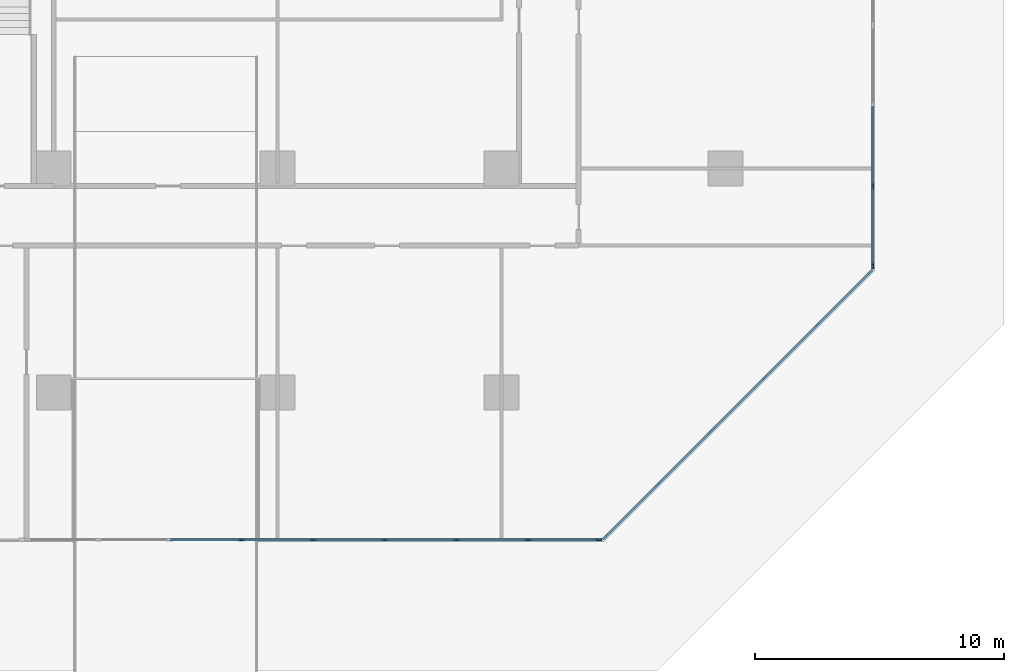
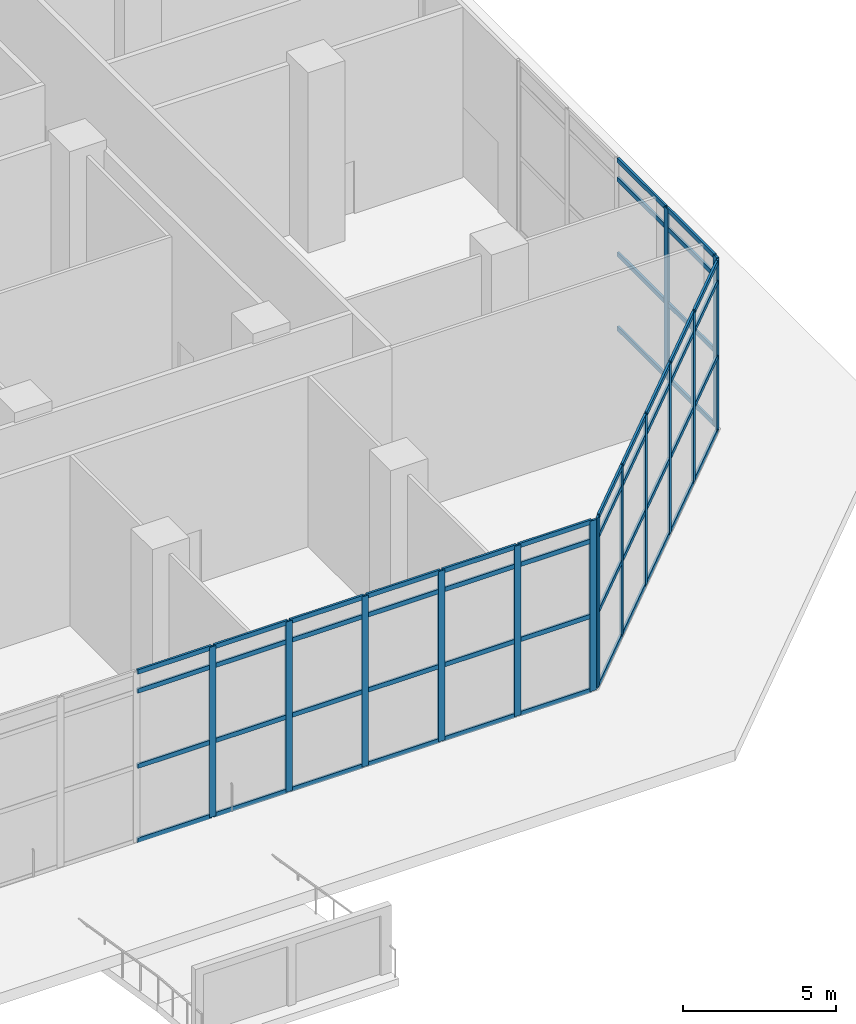
# One storey, part 6 of 34: 66 members, 3 elements without a shape of their own.
"""IFC4 building model written with IfcOpenShell, lengths in metres."""

from ifc_helpers import new_model, si_unit, direction, frame, origin, origin_2d, place, context, subcontext, project, spatial, rectangle, extrude, material, layer, layer_set, material_profile, profile_set, type_object, element, aggregate, save


model = new_model("IFC4")

# Units and contexts
model_context = context("Model", 3, precision=1e-05, world=origin(), true_north=direction((0.0, 1.0)))
body_context = subcontext(model_context, "Body", "Model", "MODEL_VIEW")
ifc_project = project(units=[si_unit("LENGTHUNIT", "METRE"), si_unit("AREAUNIT", "SQUARE_METRE"), si_unit("VOLUMEUNIT", "CUBIC_METRE"), si_unit("PLANEANGLEUNIT", "RADIAN"), si_unit("MASSUNIT", "GRAM", prefix="KILO")], contexts=[model_context])

# Site, building, storey
site_placement = place(None, origin())
site = spatial("IfcSite", under=ifc_project, at=site_placement, CompositionType="ELEMENT")
building_placement = place(site_placement, origin())
building = spatial("IfcBuilding", under=site, at=building_placement, Name="Chenar Terraces", CompositionType="ELEMENT")
storey_placement = place(building_placement, origin())
storey = spatial("IfcBuildingStorey", under=building, at=storey_placement, Name="L00", CompositionType="ELEMENT", Elevation=0.0)

# Curtain wall, members
ifc_material_1 = material(Name="Aluminium framed glazing", Category="aluminium")
ifc_layer = layer(ifc_material_1, 0.14990234375)
ifc_layer_set = layer_set([ifc_layer], Name="Aluminium framed glazing")
curtain_wall_type = type_object("IfcCurtainWallType", Name="Lobby curtain wall", PredefinedType="NOTDEFINED", material=ifc_layer_set)
placement = place(storey_placement, origin())
curtain_wall_1 = element("IfcCurtainWall", 1, at=placement, inside=storey, type_object=curtain_wall_type, Name="Lobby curtain wall", PredefinedType="NOTDEFINED")
ifc_material_2 = material(Name="Aluminium", Category="aluminium")
ifc_material_profile_1 = material_profile(ifc_material_2, rectangle(XDim=0.080078125, YDim=0.25, at=origin_2d()), Name="Lobby glazing mullion 80 x 250")
ifc_profile_set_1 = profile_set([ifc_material_profile_1], Name="Aluminium")
member_type_1 = type_object("IfcMemberType", Name="Lobby glazing mullion 80 x 250", PredefinedType="MULLION", material=ifc_profile_set_1)
member_1_placement = place(storey_placement, frame((61.548583984375, -14.925048828125, 0.0), z_axis=(0.0, 0.0, 1.0), x_axis=(0.0, 1.0, 0.0)))
member_1 = element("IfcMember", 2, at=member_1_placement, type_object=member_type_1, Name="CW6-06p30 mullion 4", PredefinedType="MULLION", context=body_context, shape_type="SweptSolid", body=[
    extrude(rectangle(XDim=0.080078125, YDim=0.25, at=origin_2d()), origin(), (0.0, 0.0, 1.0), 6.800048828125),
])
member_2_placement = place(storey_placement, frame((64.42724609375, -14.925048828125, 0.0), z_axis=(0.0, 0.0, 1.0), x_axis=(0.0, 1.0, 0.0)))
member_2 = element("IfcMember", 3, at=member_2_placement, type_object=member_type_1, Name="CW6-06p30 mullion 5", PredefinedType="MULLION", context=body_context, shape_type="SweptSolid", body=[
    extrude(rectangle(XDim=0.080078125, YDim=0.25, at=origin_2d()), origin(), (0.0, 0.0, 1.0), 6.800048828125),
])
member_3_placement = place(storey_placement, frame((67.305908203125, -14.925048828125, 0.0), z_axis=(0.0, 0.0, 1.0), x_axis=(0.0, 1.0, 0.0)))
member_3 = element("IfcMember", 4, at=member_3_placement, type_object=member_type_1, Name="CW6-06p30 mullion 6", PredefinedType="MULLION", context=body_context, shape_type="SweptSolid", body=[
    extrude(rectangle(XDim=0.080078125, YDim=0.25, at=origin_2d()), origin(), (0.0, 0.0, 1.0), 6.800048828125),
])
member_4_placement = place(storey_placement, frame((70.1845703125, -14.925048828125, 0.0), z_axis=(0.0, 0.0, 1.0), x_axis=(0.0, 1.0, 0.0)))
member_4 = element("IfcMember", 5, at=member_4_placement, type_object=member_type_1, Name="CW6-06p30 mullion 7", PredefinedType="MULLION", context=body_context, shape_type="SweptSolid", body=[
    extrude(rectangle(XDim=0.080078125, YDim=0.25, at=origin_2d()), origin(), (0.0, 0.0, 1.0), 6.800048828125),
])
member_5_placement = place(storey_placement, frame((73.063232421875, -14.925048828125, 0.0), z_axis=(0.0, 0.0, 1.0), x_axis=(0.0, 1.0, 0.0)))
member_5 = element("IfcMember", 6, at=member_5_placement, type_object=member_type_1, Name="CW6-06p30 mullion 8", PredefinedType="MULLION", context=body_context, shape_type="SweptSolid", body=[
    extrude(rectangle(XDim=0.080078125, YDim=0.25, at=origin_2d()), origin(), (0.0, 0.0, 1.0), 6.800048828125),
])
member_6_placement = place(storey_placement, frame((75.90185546875, -14.925048828125, 0.0), z_axis=(0.0, 0.0, 1.0), x_axis=(0.0, 1.0, 0.0)))
member_6 = element("IfcMember", 7, at=member_6_placement, type_object=member_type_1, Name="CW6-06p30 mullion 9", PredefinedType="MULLION", context=body_context, shape_type="SweptSolid", body=[
    extrude(rectangle(XDim=0.080078125, YDim=0.25, at=origin_2d()), origin(), (0.0, 0.0, 1.0), 6.800048828125),
])

curtain_wall_2 = element("IfcCurtainWall", 8, at=placement, inside=storey, type_object=curtain_wall_type, Name="Lobby curtain wall", PredefinedType="NOTDEFINED")
member_7_placement = place(storey_placement, frame((76.173095703125, -14.8125, 0.0), z_axis=(0.0, 0.0, 1.0), x_axis=(-0.707106781187, 0.707106781187, 0.0)))
member_7 = element("IfcMember", 9, at=member_7_placement, type_object=member_type_1, Name="CW6-070 mullion 1", PredefinedType="MULLION", context=body_context, shape_type="SweptSolid", body=[
    extrude(rectangle(XDim=0.080078125, YDim=0.25, at=origin_2d()), origin(), (0.0, 0.0, 1.0), 6.800048828125),
])
member_8_placement = place(storey_placement, frame((78.2841796875, -12.70166015625, 0.0), z_axis=(0.0, 0.0, 1.0), x_axis=(-0.707106781187, 0.707106781187, 0.0)))
member_8 = element("IfcMember", 10, at=member_8_placement, type_object=member_type_1, Name="CW6-070 mullion 2", PredefinedType="MULLION", context=body_context, shape_type="SweptSolid", body=[
    extrude(rectangle(XDim=0.080078125, YDim=0.25, at=origin_2d()), origin(), (0.0, 0.0, 1.0), 6.800048828125),
])
member_9_placement = place(storey_placement, frame((80.42333984375, -10.5625, 0.0), z_axis=(0.0, 0.0, 1.0), x_axis=(-0.707106781187, 0.707106781187, 0.0)))
member_9 = element("IfcMember", 11, at=member_9_placement, type_object=member_type_1, Name="CW6-070 mullion 3", PredefinedType="MULLION", context=body_context, shape_type="SweptSolid", body=[
    extrude(rectangle(XDim=0.080078125, YDim=0.25, at=origin_2d()), origin(), (0.0, 0.0, 1.0), 6.800048828125),
])
member_10_placement = place(storey_placement, frame((82.5625, -8.42333984375, 0.0), z_axis=(0.0, 0.0, 1.0), x_axis=(-0.707106781187, 0.707106781187, 0.0)))
member_10 = element("IfcMember", 12, at=member_10_placement, type_object=member_type_1, Name="CW6-070 mullion 4", PredefinedType="MULLION", context=body_context, shape_type="SweptSolid", body=[
    extrude(rectangle(XDim=0.080078125, YDim=0.25, at=origin_2d()), origin(), (0.0, 0.0, 1.0), 6.800048828125),
])
member_11_placement = place(storey_placement, frame((84.70166015625, -6.2841796875, 0.0), z_axis=(0.0, 0.0, 1.0), x_axis=(-0.707106781187, 0.707106781187, 0.0)))
member_11 = element("IfcMember", 13, at=member_11_placement, type_object=member_type_1, Name="CW6-070 mullion 5", PredefinedType="MULLION", context=body_context, shape_type="SweptSolid", body=[
    extrude(rectangle(XDim=0.080078125, YDim=0.25, at=origin_2d()), origin(), (0.0, 0.0, 1.0), 6.800048828125),
])
member_12_placement = place(storey_placement, frame((86.8125, -4.173095703125, 0.0), z_axis=(0.0, 0.0, 1.0), x_axis=(-0.707106781187, 0.707106781187, 0.0)))
member_12 = element("IfcMember", 14, at=member_12_placement, type_object=member_type_1, Name="CW6-070 mullion 6", PredefinedType="MULLION", context=body_context, shape_type="SweptSolid", body=[
    extrude(rectangle(XDim=0.080078125, YDim=0.25, at=origin_2d()), origin(), (0.0, 0.0, 1.0), 6.800048828125),
])

curtain_wall_3 = element("IfcCurtainWall", 15, at=placement, inside=storey, type_object=curtain_wall_type, Name="Lobby curtain wall", PredefinedType="NOTDEFINED")
member_13_placement = place(storey_placement, frame((86.925048828125, -3.90185546875, 0.0), z_axis=(0.0, 0.0, 1.0), x_axis=(-1.0, 0.0, 0.0)))
member_13 = element("IfcMember", 16, at=member_13_placement, type_object=member_type_1, Name="CW6-08a0 mullion 1", PredefinedType="MULLION", context=body_context, shape_type="SweptSolid", body=[
    extrude(rectangle(XDim=0.080078125, YDim=0.25, at=origin_2d()), origin(), (0.0, 0.0, 1.0), 6.800048828125),
])
member_14_placement = place(storey_placement, frame((86.925048828125, -0.70947265625, 0.0), z_axis=(0.0, 0.0, 1.0), x_axis=(-1.0, 0.0, 0.0)))
member_14 = element("IfcMember", 17, at=member_14_placement, type_object=member_type_1, Name="CW6-08a0 mullion 2", PredefinedType="MULLION", context=body_context, shape_type="SweptSolid", body=[
    extrude(rectangle(XDim=0.080078125, YDim=0.25, at=origin_2d()), origin(), (0.0, 0.0, 1.0), 6.800048828125),
])

# Member
ifc_material_3 = material(Name="Aluminium", Category="aluminium")
ifc_material_profile_2 = material_profile(ifc_material_3, rectangle(XDim=0.080078125, YDim=0.179931640625, at=origin_2d()), Name="Lobby glazing transom 80 x 180")
ifc_profile_set_2 = profile_set([ifc_material_profile_2], Name="Aluminium")
member_type_2 = type_object("IfcMemberType", Name="Lobby glazing transom 80 x 180", PredefinedType="USERDEFINED", material=ifc_profile_set_2)
member_15_placement = place(storey_placement, frame((58.7099609375, -14.925048828125, 0.0400390625), z_axis=(1.0, 0.0, 0.0), x_axis=(0.0, 1.0, 0.0)))
member_15 = element("IfcMember", 18, at=member_15_placement, type_object=member_type_2, Name="CW6-06p30 transom 3.1", ObjectType="TRANSOM", PredefinedType="USERDEFINED", context=body_context, shape_type="SweptSolid", body=[
    extrude(rectangle(XDim=0.080078125, YDim=0.179931640625, at=origin_2d()), origin(), (0.0, 0.0, 1.0), 2.798583984375),
])

member_16_placement = place(storey_placement, frame((58.7099609375, -14.925048828125, 3.0), z_axis=(1.0, 0.0, 0.0), x_axis=(0.0, 1.0, 0.0)))
member_16 = element("IfcMember", 19, at=member_16_placement, type_object=member_type_2, Name="CW6-06p30 transom 3.2", ObjectType="TRANSOM", PredefinedType="USERDEFINED", context=body_context, shape_type="SweptSolid", body=[
    extrude(rectangle(XDim=0.080078125, YDim=0.179931640625, at=origin_2d()), origin(), (0.0, 0.0, 1.0), 2.798583984375),
])

member_17_placement = place(storey_placement, frame((58.7099609375, -14.925048828125, 6.0), z_axis=(1.0, 0.0, 0.0), x_axis=(0.0, 1.0, 0.0)))
member_17 = element("IfcMember", 20, at=member_17_placement, type_object=member_type_2, Name="CW6-06p30 transom 3.3", ObjectType="TRANSOM", PredefinedType="USERDEFINED", context=body_context, shape_type="SweptSolid", body=[
    extrude(rectangle(XDim=0.080078125, YDim=0.179931640625, at=origin_2d()), origin(), (0.0, 0.0, 1.0), 2.798583984375),
])

member_18_placement = place(storey_placement, frame((58.7099609375, -14.925048828125, 6.760009765625), z_axis=(1.0, 0.0, 0.0), x_axis=(0.0, 1.0, 0.0)))
member_18 = element("IfcMember", 21, at=member_18_placement, type_object=member_type_2, Name="CW6-06p30 transom 3.4", ObjectType="TRANSOM", PredefinedType="USERDEFINED", context=body_context, shape_type="SweptSolid", body=[
    extrude(rectangle(XDim=0.080078125, YDim=0.179931640625, at=origin_2d()), origin(), (0.0, 0.0, 1.0), 2.798583984375),
])

member_19_placement = place(storey_placement, frame((61.588623046875, -14.925048828125, 0.0400390625), z_axis=(1.0, 0.0, 0.0), x_axis=(0.0, 1.0, 0.0)))
member_19 = element("IfcMember", 22, at=member_19_placement, type_object=member_type_2, Name="CW6-06p30 transom 4.1", ObjectType="TRANSOM", PredefinedType="USERDEFINED", context=body_context, shape_type="SweptSolid", body=[
    extrude(rectangle(XDim=0.080078125, YDim=0.179931640625, at=origin_2d()), origin(), (0.0, 0.0, 1.0), 2.798583984375),
])

member_20_placement = place(storey_placement, frame((61.588623046875, -14.925048828125, 3.0), z_axis=(1.0, 0.0, 0.0), x_axis=(0.0, 1.0, 0.0)))
member_20 = element("IfcMember", 23, at=member_20_placement, type_object=member_type_2, Name="CW6-06p30 transom 4.2", ObjectType="TRANSOM", PredefinedType="USERDEFINED", context=body_context, shape_type="SweptSolid", body=[
    extrude(rectangle(XDim=0.080078125, YDim=0.179931640625, at=origin_2d()), origin(), (0.0, 0.0, 1.0), 2.798583984375),
])

member_21_placement = place(storey_placement, frame((61.588623046875, -14.925048828125, 6.0), z_axis=(1.0, 0.0, 0.0), x_axis=(0.0, 1.0, 0.0)))
member_21 = element("IfcMember", 24, at=member_21_placement, type_object=member_type_2, Name="CW6-06p30 transom 4.3", ObjectType="TRANSOM", PredefinedType="USERDEFINED", context=body_context, shape_type="SweptSolid", body=[
    extrude(rectangle(XDim=0.080078125, YDim=0.179931640625, at=origin_2d()), origin(), (0.0, 0.0, 1.0), 2.798583984375),
])

member_22_placement = place(storey_placement, frame((61.588623046875, -14.925048828125, 6.760009765625), z_axis=(1.0, 0.0, 0.0), x_axis=(0.0, 1.0, 0.0)))
member_22 = element("IfcMember", 25, at=member_22_placement, type_object=member_type_2, Name="CW6-06p30 transom 4.4", ObjectType="TRANSOM", PredefinedType="USERDEFINED", context=body_context, shape_type="SweptSolid", body=[
    extrude(rectangle(XDim=0.080078125, YDim=0.179931640625, at=origin_2d()), origin(), (0.0, 0.0, 1.0), 2.798583984375),
])

member_23_placement = place(storey_placement, frame((64.46728515625, -14.925048828125, 0.0400390625), z_axis=(1.0, 0.0, 0.0), x_axis=(0.0, 1.0, 0.0)))
member_23 = element("IfcMember", 26, at=member_23_placement, type_object=member_type_2, Name="CW6-06p30 transom 5.1", ObjectType="TRANSOM", PredefinedType="USERDEFINED", context=body_context, shape_type="SweptSolid", body=[
    extrude(rectangle(XDim=0.080078125, YDim=0.179931640625, at=origin_2d()), origin(), (0.0, 0.0, 1.0), 2.798583984375),
])

member_24_placement = place(storey_placement, frame((64.46728515625, -14.925048828125, 3.0), z_axis=(1.0, 0.0, 0.0), x_axis=(0.0, 1.0, 0.0)))
member_24 = element("IfcMember", 27, at=member_24_placement, type_object=member_type_2, Name="CW6-06p30 transom 5.2", ObjectType="TRANSOM", PredefinedType="USERDEFINED", context=body_context, shape_type="SweptSolid", body=[
    extrude(rectangle(XDim=0.080078125, YDim=0.179931640625, at=origin_2d()), origin(), (0.0, 0.0, 1.0), 2.798583984375),
])

member_25_placement = place(storey_placement, frame((64.46728515625, -14.925048828125, 6.0), z_axis=(1.0, 0.0, 0.0), x_axis=(0.0, 1.0, 0.0)))
member_25 = element("IfcMember", 28, at=member_25_placement, type_object=member_type_2, Name="CW6-06p30 transom 5.3", ObjectType="TRANSOM", PredefinedType="USERDEFINED", context=body_context, shape_type="SweptSolid", body=[
    extrude(rectangle(XDim=0.080078125, YDim=0.179931640625, at=origin_2d()), origin(), (0.0, 0.0, 1.0), 2.798583984375),
])

member_26_placement = place(storey_placement, frame((64.46728515625, -14.925048828125, 6.760009765625), z_axis=(1.0, 0.0, 0.0), x_axis=(0.0, 1.0, 0.0)))
member_26 = element("IfcMember", 29, at=member_26_placement, type_object=member_type_2, Name="CW6-06p30 transom 5.4", ObjectType="TRANSOM", PredefinedType="USERDEFINED", context=body_context, shape_type="SweptSolid", body=[
    extrude(rectangle(XDim=0.080078125, YDim=0.179931640625, at=origin_2d()), origin(), (0.0, 0.0, 1.0), 2.798583984375),
])

member_27_placement = place(storey_placement, frame((67.345947265625, -14.925048828125, 0.0400390625), z_axis=(1.0, 0.0, 0.0), x_axis=(0.0, 1.0, 0.0)))
member_27 = element("IfcMember", 30, at=member_27_placement, type_object=member_type_2, Name="CW6-06p30 transom 6.1", ObjectType="TRANSOM", PredefinedType="USERDEFINED", context=body_context, shape_type="SweptSolid", body=[
    extrude(rectangle(XDim=0.080078125, YDim=0.179931640625, at=origin_2d()), origin(), (0.0, 0.0, 1.0), 2.798583984375),
])

member_28_placement = place(storey_placement, frame((67.345947265625, -14.925048828125, 3.0), z_axis=(1.0, 0.0, 0.0), x_axis=(0.0, 1.0, 0.0)))
member_28 = element("IfcMember", 31, at=member_28_placement, type_object=member_type_2, Name="CW6-06p30 transom 6.2", ObjectType="TRANSOM", PredefinedType="USERDEFINED", context=body_context, shape_type="SweptSolid", body=[
    extrude(rectangle(XDim=0.080078125, YDim=0.179931640625, at=origin_2d()), origin(), (0.0, 0.0, 1.0), 2.798583984375),
])

member_29_placement = place(storey_placement, frame((67.345947265625, -14.925048828125, 6.0), z_axis=(1.0, 0.0, 0.0), x_axis=(0.0, 1.0, 0.0)))
member_29 = element("IfcMember", 32, at=member_29_placement, type_object=member_type_2, Name="CW6-06p30 transom 6.3", ObjectType="TRANSOM", PredefinedType="USERDEFINED", context=body_context, shape_type="SweptSolid", body=[
    extrude(rectangle(XDim=0.080078125, YDim=0.179931640625, at=origin_2d()), origin(), (0.0, 0.0, 1.0), 2.798583984375),
])

member_30_placement = place(storey_placement, frame((67.345947265625, -14.925048828125, 6.760009765625), z_axis=(1.0, 0.0, 0.0), x_axis=(0.0, 1.0, 0.0)))
member_30 = element("IfcMember", 33, at=member_30_placement, type_object=member_type_2, Name="CW6-06p30 transom 6.4", ObjectType="TRANSOM", PredefinedType="USERDEFINED", context=body_context, shape_type="SweptSolid", body=[
    extrude(rectangle(XDim=0.080078125, YDim=0.179931640625, at=origin_2d()), origin(), (0.0, 0.0, 1.0), 2.798583984375),
])

member_31_placement = place(storey_placement, frame((70.224609375, -14.925048828125, 0.0400390625), z_axis=(1.0, 0.0, 0.0), x_axis=(0.0, 1.0, 0.0)))
member_31 = element("IfcMember", 34, at=member_31_placement, type_object=member_type_2, Name="CW6-06p30 transom 7.1", ObjectType="TRANSOM", PredefinedType="USERDEFINED", context=body_context, shape_type="SweptSolid", body=[
    extrude(rectangle(XDim=0.080078125, YDim=0.179931640625, at=origin_2d()), origin(), (0.0, 0.0, 1.0), 2.798583984375),
])

member_32_placement = place(storey_placement, frame((70.224609375, -14.925048828125, 3.0), z_axis=(1.0, 0.0, 0.0), x_axis=(0.0, 1.0, 0.0)))
member_32 = element("IfcMember", 35, at=member_32_placement, type_object=member_type_2, Name="CW6-06p30 transom 7.2", ObjectType="TRANSOM", PredefinedType="USERDEFINED", context=body_context, shape_type="SweptSolid", body=[
    extrude(rectangle(XDim=0.080078125, YDim=0.179931640625, at=origin_2d()), origin(), (0.0, 0.0, 1.0), 2.798583984375),
])

member_33_placement = place(storey_placement, frame((70.224609375, -14.925048828125, 6.0), z_axis=(1.0, 0.0, 0.0), x_axis=(0.0, 1.0, 0.0)))
member_33 = element("IfcMember", 36, at=member_33_placement, type_object=member_type_2, Name="CW6-06p30 transom 7.3", ObjectType="TRANSOM", PredefinedType="USERDEFINED", context=body_context, shape_type="SweptSolid", body=[
    extrude(rectangle(XDim=0.080078125, YDim=0.179931640625, at=origin_2d()), origin(), (0.0, 0.0, 1.0), 2.798583984375),
])

member_34_placement = place(storey_placement, frame((70.224609375, -14.925048828125, 6.760009765625), z_axis=(1.0, 0.0, 0.0), x_axis=(0.0, 1.0, 0.0)))
member_34 = element("IfcMember", 37, at=member_34_placement, type_object=member_type_2, Name="CW6-06p30 transom 7.4", ObjectType="TRANSOM", PredefinedType="USERDEFINED", context=body_context, shape_type="SweptSolid", body=[
    extrude(rectangle(XDim=0.080078125, YDim=0.179931640625, at=origin_2d()), origin(), (0.0, 0.0, 1.0), 2.798583984375),
])

member_35_placement = place(storey_placement, frame((73.103271484375, -14.925048828125, 0.0400390625), z_axis=(1.0, 0.0, 0.0), x_axis=(0.0, 1.0, 0.0)))
member_35 = element("IfcMember", 38, at=member_35_placement, type_object=member_type_2, Name="CW6-06p30 transom 8.1", ObjectType="TRANSOM", PredefinedType="USERDEFINED", context=body_context, shape_type="SweptSolid", body=[
    extrude(rectangle(XDim=0.080078125, YDim=0.179931640625, at=origin_2d()), origin(), (0.0, 0.0, 1.0), 2.758544921875),
])

member_36_placement = place(storey_placement, frame((73.103271484375, -14.925048828125, 3.0), z_axis=(1.0, 0.0, 0.0), x_axis=(0.0, 1.0, 0.0)))
member_36 = element("IfcMember", 39, at=member_36_placement, type_object=member_type_2, Name="CW6-06p30 transom 8.2", ObjectType="TRANSOM", PredefinedType="USERDEFINED", context=body_context, shape_type="SweptSolid", body=[
    extrude(rectangle(XDim=0.080078125, YDim=0.179931640625, at=origin_2d()), origin(), (0.0, 0.0, 1.0), 2.758544921875),
])

member_37_placement = place(storey_placement, frame((73.103271484375, -14.925048828125, 6.0), z_axis=(1.0, 0.0, 0.0), x_axis=(0.0, 1.0, 0.0)))
member_37 = element("IfcMember", 40, at=member_37_placement, type_object=member_type_2, Name="CW6-06p30 transom 8.3", ObjectType="TRANSOM", PredefinedType="USERDEFINED", context=body_context, shape_type="SweptSolid", body=[
    extrude(rectangle(XDim=0.080078125, YDim=0.179931640625, at=origin_2d()), origin(), (0.0, 0.0, 1.0), 2.758544921875),
])

member_38_placement = place(storey_placement, frame((73.103271484375, -14.925048828125, 6.760009765625), z_axis=(1.0, 0.0, 0.0), x_axis=(0.0, 1.0, 0.0)))
member_38 = element("IfcMember", 41, at=member_38_placement, type_object=member_type_2, Name="CW6-06p30 transom 8.4", ObjectType="TRANSOM", PredefinedType="USERDEFINED", context=body_context, shape_type="SweptSolid", body=[
    extrude(rectangle(XDim=0.080078125, YDim=0.179931640625, at=origin_2d()), origin(), (0.0, 0.0, 1.0), 2.758544921875),
])

aggregate(curtain_wall_1, [member_1, member_2, member_3, member_4, member_5, member_6, member_15, member_16, member_17, member_18, member_19, member_20, member_21, member_22, member_23, member_24, member_25, member_26, member_27, member_28, member_29, member_30, member_31, member_32, member_33, member_34, member_35, member_36, member_37, member_38])

member_39_placement = place(storey_placement, frame((76.201416015625, -14.784423828125, 0.0400390625), z_axis=(0.707106781187, 0.707106781187, 0.0), x_axis=(-0.707106781187, 0.707106781187, 0.0)))
member_39 = element("IfcMember", 42, at=member_39_placement, type_object=member_type_2, Name="CW6-070 transom 1.1", ObjectType="TRANSOM", PredefinedType="USERDEFINED", context=body_context, shape_type="SweptSolid", body=[
    extrude(rectangle(XDim=0.080078125, YDim=0.179931640625, at=origin_2d()), origin(), (0.0, 0.0, 1.0), 2.905517578125),
])

member_40_placement = place(storey_placement, frame((76.201416015625, -14.784423828125, 3.0), z_axis=(0.707106781187, 0.707106781187, 0.0), x_axis=(-0.707106781187, 0.707106781187, 0.0)))
member_40 = element("IfcMember", 43, at=member_40_placement, type_object=member_type_2, Name="CW6-070 transom 1.2", ObjectType="TRANSOM", PredefinedType="USERDEFINED", context=body_context, shape_type="SweptSolid", body=[
    extrude(rectangle(XDim=0.080078125, YDim=0.179931640625, at=origin_2d()), origin(), (0.0, 0.0, 1.0), 2.905517578125),
])

member_41_placement = place(storey_placement, frame((76.201416015625, -14.784423828125, 6.0), z_axis=(0.707106781187, 0.707106781187, 0.0), x_axis=(-0.707106781187, 0.707106781187, 0.0)))
member_41 = element("IfcMember", 44, at=member_41_placement, type_object=member_type_2, Name="CW6-070 transom 1.3", ObjectType="TRANSOM", PredefinedType="USERDEFINED", context=body_context, shape_type="SweptSolid", body=[
    extrude(rectangle(XDim=0.080078125, YDim=0.179931640625, at=origin_2d()), origin(), (0.0, 0.0, 1.0), 2.905517578125),
])

member_42_placement = place(storey_placement, frame((76.201416015625, -14.784423828125, 6.760009765625), z_axis=(0.707106781187, 0.707106781187, 0.0), x_axis=(-0.707106781187, 0.707106781187, 0.0)))
member_42 = element("IfcMember", 45, at=member_42_placement, type_object=member_type_2, Name="CW6-070 transom 1.4", ObjectType="TRANSOM", PredefinedType="USERDEFINED", context=body_context, shape_type="SweptSolid", body=[
    extrude(rectangle(XDim=0.080078125, YDim=0.179931640625, at=origin_2d()), origin(), (0.0, 0.0, 1.0), 2.905517578125),
])

member_43_placement = place(storey_placement, frame((78.3125, -12.67333984375, 0.0400390625), z_axis=(0.707106781187, 0.707106781187, 0.0), x_axis=(-0.707106781187, 0.707106781187, 0.0)))
member_43 = element("IfcMember", 46, at=member_43_placement, type_object=member_type_2, Name="CW6-070 transom 2.1", ObjectType="TRANSOM", PredefinedType="USERDEFINED", context=body_context, shape_type="SweptSolid", body=[
    extrude(rectangle(XDim=0.080078125, YDim=0.179931640625, at=origin_2d()), origin(), (0.0, 0.0, 1.0), 2.945068359375),
])

member_44_placement = place(storey_placement, frame((78.3125, -12.67333984375, 3.0), z_axis=(0.707106781187, 0.707106781187, 0.0), x_axis=(-0.707106781187, 0.707106781187, 0.0)))
member_44 = element("IfcMember", 47, at=member_44_placement, type_object=member_type_2, Name="CW6-070 transom 2.2", ObjectType="TRANSOM", PredefinedType="USERDEFINED", context=body_context, shape_type="SweptSolid", body=[
    extrude(rectangle(XDim=0.080078125, YDim=0.179931640625, at=origin_2d()), origin(), (0.0, 0.0, 1.0), 2.945068359375),
])

member_45_placement = place(storey_placement, frame((78.3125, -12.67333984375, 6.0), z_axis=(0.707106781187, 0.707106781187, 0.0), x_axis=(-0.707106781187, 0.707106781187, 0.0)))
member_45 = element("IfcMember", 48, at=member_45_placement, type_object=member_type_2, Name="CW6-070 transom 2.3", ObjectType="TRANSOM", PredefinedType="USERDEFINED", context=body_context, shape_type="SweptSolid", body=[
    extrude(rectangle(XDim=0.080078125, YDim=0.179931640625, at=origin_2d()), origin(), (0.0, 0.0, 1.0), 2.945068359375),
])

member_46_placement = place(storey_placement, frame((78.3125, -12.67333984375, 6.760009765625), z_axis=(0.707106781187, 0.707106781187, 0.0), x_axis=(-0.707106781187, 0.707106781187, 0.0)))
member_46 = element("IfcMember", 49, at=member_46_placement, type_object=member_type_2, Name="CW6-070 transom 2.4", ObjectType="TRANSOM", PredefinedType="USERDEFINED", context=body_context, shape_type="SweptSolid", body=[
    extrude(rectangle(XDim=0.080078125, YDim=0.179931640625, at=origin_2d()), origin(), (0.0, 0.0, 1.0), 2.945068359375),
])

member_47_placement = place(storey_placement, frame((80.45166015625, -10.5341796875, 0.0400390625), z_axis=(0.707106781187, 0.707106781187, 0.0), x_axis=(-0.707106781187, 0.707106781187, 0.0)))
member_47 = element("IfcMember", 50, at=member_47_placement, type_object=member_type_2, Name="CW6-070 transom 3.1", ObjectType="TRANSOM", PredefinedType="USERDEFINED", context=body_context, shape_type="SweptSolid", body=[
    extrude(rectangle(XDim=0.080078125, YDim=0.179931640625, at=origin_2d()), origin(), (0.0, 0.0, 1.0), 2.945068359375),
])

member_48_placement = place(storey_placement, frame((80.45166015625, -10.5341796875, 3.0), z_axis=(0.707106781187, 0.707106781187, 0.0), x_axis=(-0.707106781187, 0.707106781187, 0.0)))
member_48 = element("IfcMember", 51, at=member_48_placement, type_object=member_type_2, Name="CW6-070 transom 3.2", ObjectType="TRANSOM", PredefinedType="USERDEFINED", context=body_context, shape_type="SweptSolid", body=[
    extrude(rectangle(XDim=0.080078125, YDim=0.179931640625, at=origin_2d()), origin(), (0.0, 0.0, 1.0), 2.945068359375),
])

member_49_placement = place(storey_placement, frame((80.45166015625, -10.5341796875, 6.0), z_axis=(0.707106781187, 0.707106781187, 0.0), x_axis=(-0.707106781187, 0.707106781187, 0.0)))
member_49 = element("IfcMember", 52, at=member_49_placement, type_object=member_type_2, Name="CW6-070 transom 3.3", ObjectType="TRANSOM", PredefinedType="USERDEFINED", context=body_context, shape_type="SweptSolid", body=[
    extrude(rectangle(XDim=0.080078125, YDim=0.179931640625, at=origin_2d()), origin(), (0.0, 0.0, 1.0), 2.945068359375),
])

member_50_placement = place(storey_placement, frame((80.45166015625, -10.5341796875, 6.760009765625), z_axis=(0.707106781187, 0.707106781187, 0.0), x_axis=(-0.707106781187, 0.707106781187, 0.0)))
member_50 = element("IfcMember", 53, at=member_50_placement, type_object=member_type_2, Name="CW6-070 transom 3.4", ObjectType="TRANSOM", PredefinedType="USERDEFINED", context=body_context, shape_type="SweptSolid", body=[
    extrude(rectangle(XDim=0.080078125, YDim=0.179931640625, at=origin_2d()), origin(), (0.0, 0.0, 1.0), 2.945068359375),
])

member_51_placement = place(storey_placement, frame((82.5908203125, -8.39501953125, 0.0400390625), z_axis=(0.707106781187, 0.707106781187, 0.0), x_axis=(-0.707106781187, 0.707106781187, 0.0)))
member_51 = element("IfcMember", 54, at=member_51_placement, type_object=member_type_2, Name="CW6-070 transom 4.1", ObjectType="TRANSOM", PredefinedType="USERDEFINED", context=body_context, shape_type="SweptSolid", body=[
    extrude(rectangle(XDim=0.080078125, YDim=0.179931640625, at=origin_2d()), origin(), (0.0, 0.0, 1.0), 2.945068359375),
])

member_52_placement = place(storey_placement, frame((82.5908203125, -8.39501953125, 3.0), z_axis=(0.707106781187, 0.707106781187, 0.0), x_axis=(-0.707106781187, 0.707106781187, 0.0)))
member_52 = element("IfcMember", 55, at=member_52_placement, type_object=member_type_2, Name="CW6-070 transom 4.2", ObjectType="TRANSOM", PredefinedType="USERDEFINED", context=body_context, shape_type="SweptSolid", body=[
    extrude(rectangle(XDim=0.080078125, YDim=0.179931640625, at=origin_2d()), origin(), (0.0, 0.0, 1.0), 2.945068359375),
])

member_53_placement = place(storey_placement, frame((82.5908203125, -8.39501953125, 6.0), z_axis=(0.707106781187, 0.707106781187, 0.0), x_axis=(-0.707106781187, 0.707106781187, 0.0)))
member_53 = element("IfcMember", 56, at=member_53_placement, type_object=member_type_2, Name="CW6-070 transom 4.3", ObjectType="TRANSOM", PredefinedType="USERDEFINED", context=body_context, shape_type="SweptSolid", body=[
    extrude(rectangle(XDim=0.080078125, YDim=0.179931640625, at=origin_2d()), origin(), (0.0, 0.0, 1.0), 2.945068359375),
])

member_54_placement = place(storey_placement, frame((82.5908203125, -8.39501953125, 6.760009765625), z_axis=(0.707106781187, 0.707106781187, 0.0), x_axis=(-0.707106781187, 0.707106781187, 0.0)))
member_54 = element("IfcMember", 57, at=member_54_placement, type_object=member_type_2, Name="CW6-070 transom 4.4", ObjectType="TRANSOM", PredefinedType="USERDEFINED", context=body_context, shape_type="SweptSolid", body=[
    extrude(rectangle(XDim=0.080078125, YDim=0.179931640625, at=origin_2d()), origin(), (0.0, 0.0, 1.0), 2.945068359375),
])

member_55_placement = place(storey_placement, frame((84.72998046875, -6.255859375, 0.0400390625), z_axis=(0.707106781187, 0.707106781187, 0.0), x_axis=(-0.707106781187, 0.707106781187, 0.0)))
member_55 = element("IfcMember", 58, at=member_55_placement, type_object=member_type_2, Name="CW6-070 transom 5.1", ObjectType="TRANSOM", PredefinedType="USERDEFINED", context=body_context, shape_type="SweptSolid", body=[
    extrude(rectangle(XDim=0.080078125, YDim=0.179931640625, at=origin_2d()), origin(), (0.0, 0.0, 1.0), 2.905517578125),
])

member_56_placement = place(storey_placement, frame((84.72998046875, -6.255859375, 3.0), z_axis=(0.707106781187, 0.707106781187, 0.0), x_axis=(-0.707106781187, 0.707106781187, 0.0)))
member_56 = element("IfcMember", 59, at=member_56_placement, type_object=member_type_2, Name="CW6-070 transom 5.2", ObjectType="TRANSOM", PredefinedType="USERDEFINED", context=body_context, shape_type="SweptSolid", body=[
    extrude(rectangle(XDim=0.080078125, YDim=0.179931640625, at=origin_2d()), origin(), (0.0, 0.0, 1.0), 2.905517578125),
])

member_57_placement = place(storey_placement, frame((84.72998046875, -6.255859375, 6.0), z_axis=(0.707106781187, 0.707106781187, 0.0), x_axis=(-0.707106781187, 0.707106781187, 0.0)))
member_57 = element("IfcMember", 60, at=member_57_placement, type_object=member_type_2, Name="CW6-070 transom 5.3", ObjectType="TRANSOM", PredefinedType="USERDEFINED", context=body_context, shape_type="SweptSolid", body=[
    extrude(rectangle(XDim=0.080078125, YDim=0.179931640625, at=origin_2d()), origin(), (0.0, 0.0, 1.0), 2.905517578125),
])

member_58_placement = place(storey_placement, frame((84.72998046875, -6.255859375, 6.760009765625), z_axis=(0.707106781187, 0.707106781187, 0.0), x_axis=(-0.707106781187, 0.707106781187, 0.0)))
member_58 = element("IfcMember", 61, at=member_58_placement, type_object=member_type_2, Name="CW6-070 transom 5.4", ObjectType="TRANSOM", PredefinedType="USERDEFINED", context=body_context, shape_type="SweptSolid", body=[
    extrude(rectangle(XDim=0.080078125, YDim=0.179931640625, at=origin_2d()), origin(), (0.0, 0.0, 1.0), 2.905517578125),
])

aggregate(curtain_wall_2, [member_7, member_8, member_9, member_10, member_11, member_12, member_39, member_40, member_41, member_42, member_43, member_44, member_45, member_46, member_47, member_48, member_49, member_50, member_51, member_52, member_53, member_54, member_55, member_56, member_57, member_58])

member_59_placement = place(storey_placement, frame((86.925048828125, -3.86181640625, 0.0400390625), z_axis=(0.0, 1.0, 0.0), x_axis=(-1.0, 0.0, 0.0)))
member_59 = element("IfcMember", 62, at=member_59_placement, type_object=member_type_2, Name="CW6-08a0 transom 1.1", ObjectType="TRANSOM", PredefinedType="USERDEFINED", context=body_context, shape_type="SweptSolid", body=[
    extrude(rectangle(XDim=0.080078125, YDim=0.179931640625, at=origin_2d()), origin(), (0.0, 0.0, 1.0), 3.1123046875),
])

member_60_placement = place(storey_placement, frame((86.925048828125, -3.86181640625, 3.0), z_axis=(0.0, 1.0, 0.0), x_axis=(-1.0, 0.0, 0.0)))
member_60 = element("IfcMember", 63, at=member_60_placement, type_object=member_type_2, Name="CW6-08a0 transom 1.2", ObjectType="TRANSOM", PredefinedType="USERDEFINED", context=body_context, shape_type="SweptSolid", body=[
    extrude(rectangle(XDim=0.080078125, YDim=0.179931640625, at=origin_2d()), origin(), (0.0, 0.0, 1.0), 3.1123046875),
])

member_61_placement = place(storey_placement, frame((86.925048828125, -3.86181640625, 6.0), z_axis=(0.0, 1.0, 0.0), x_axis=(-1.0, 0.0, 0.0)))
member_61 = element("IfcMember", 64, at=member_61_placement, type_object=member_type_2, Name="CW6-08a0 transom 1.3", ObjectType="TRANSOM", PredefinedType="USERDEFINED", context=body_context, shape_type="SweptSolid", body=[
    extrude(rectangle(XDim=0.080078125, YDim=0.179931640625, at=origin_2d()), origin(), (0.0, 0.0, 1.0), 3.1123046875),
])

member_62_placement = place(storey_placement, frame((86.925048828125, -3.86181640625, 6.760009765625), z_axis=(0.0, 1.0, 0.0), x_axis=(-1.0, 0.0, 0.0)))
member_62 = element("IfcMember", 65, at=member_62_placement, type_object=member_type_2, Name="CW6-08a0 transom 1.4", ObjectType="TRANSOM", PredefinedType="USERDEFINED", context=body_context, shape_type="SweptSolid", body=[
    extrude(rectangle(XDim=0.080078125, YDim=0.179931640625, at=origin_2d()), origin(), (0.0, 0.0, 1.0), 3.1123046875),
])

member_63_placement = place(storey_placement, frame((86.925048828125, -0.66943359375, 0.0400390625), z_axis=(0.0, 1.0, 0.0), x_axis=(-1.0, 0.0, 0.0)))
member_63 = element("IfcMember", 66, at=member_63_placement, type_object=member_type_2, Name="CW6-08a0 transom 2.1", ObjectType="TRANSOM", PredefinedType="USERDEFINED", context=body_context, shape_type="SweptSolid", body=[
    extrude(rectangle(XDim=0.080078125, YDim=0.179931640625, at=origin_2d()), origin(), (0.0, 0.0, 1.0), 3.15234375),
])

member_64_placement = place(storey_placement, frame((86.925048828125, -0.66943359375, 3.0), z_axis=(0.0, 1.0, 0.0), x_axis=(-1.0, 0.0, 0.0)))
member_64 = element("IfcMember", 67, at=member_64_placement, type_object=member_type_2, Name="CW6-08a0 transom 2.2", ObjectType="TRANSOM", PredefinedType="USERDEFINED", context=body_context, shape_type="SweptSolid", body=[
    extrude(rectangle(XDim=0.080078125, YDim=0.179931640625, at=origin_2d()), origin(), (0.0, 0.0, 1.0), 3.15234375),
])

member_65_placement = place(storey_placement, frame((86.925048828125, -0.66943359375, 6.0), z_axis=(0.0, 1.0, 0.0), x_axis=(-1.0, 0.0, 0.0)))
member_65 = element("IfcMember", 68, at=member_65_placement, type_object=member_type_2, Name="CW6-08a0 transom 2.3", ObjectType="TRANSOM", PredefinedType="USERDEFINED", context=body_context, shape_type="SweptSolid", body=[
    extrude(rectangle(XDim=0.080078125, YDim=0.179931640625, at=origin_2d()), origin(), (0.0, 0.0, 1.0), 3.15234375),
])

member_66_placement = place(storey_placement, frame((86.925048828125, -0.66943359375, 6.760009765625), z_axis=(0.0, 1.0, 0.0), x_axis=(-1.0, 0.0, 0.0)))
member_66 = element("IfcMember", 69, at=member_66_placement, type_object=member_type_2, Name="CW6-08a0 transom 2.4", ObjectType="TRANSOM", PredefinedType="USERDEFINED", context=body_context, shape_type="SweptSolid", body=[
    extrude(rectangle(XDim=0.080078125, YDim=0.179931640625, at=origin_2d()), origin(), (0.0, 0.0, 1.0), 3.15234375),
])

aggregate(curtain_wall_3, [member_13, member_14, member_59, member_60, member_61, member_62, member_63, member_64, member_65, member_66])

save(model, "model.ifc")
